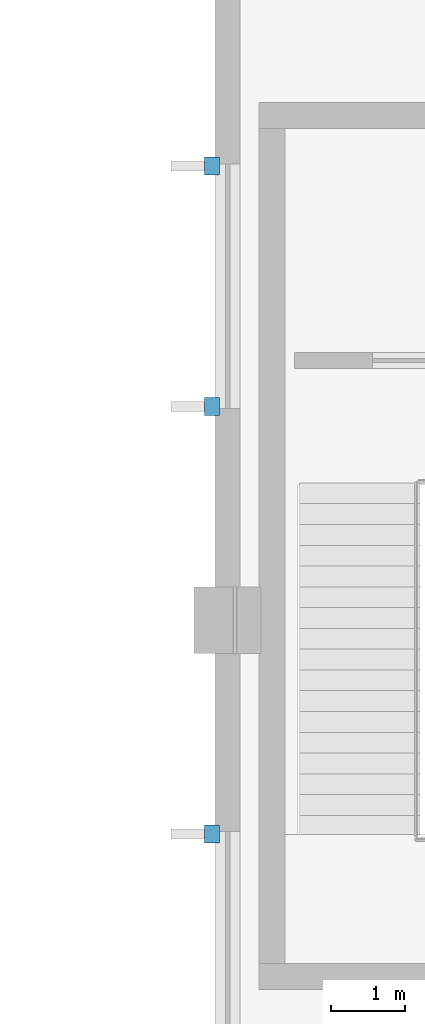
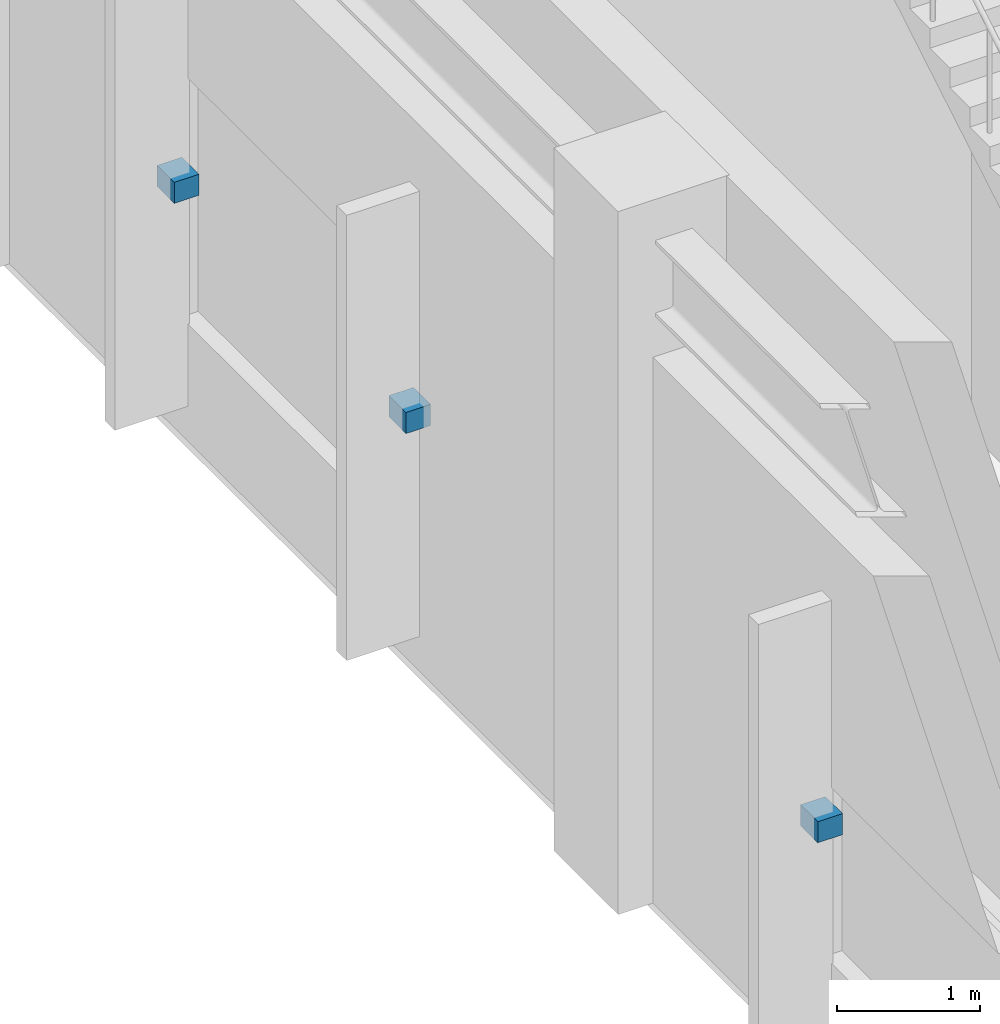
# One storey, part 198 of 223: 3 discrete accessories.
"""IFC4 building model written with IfcOpenShell, lengths in metres."""

import ifcopenshell
import ifcopenshell.guid

model = None  # the IFC model being written
_history = None  # IfcOwnerHistory: only IFC2X3 demands one
_inside = {}  # id of a spatial element -> (the spatial element, [elements in it])
_under = {}  # id of a project, library or spatial element -> (it, [spatial elements below it])
_declared = {}  # id of a project -> (the project, [libraries it declares])
_typed = {}  # id of a type object -> (the type object, [elements of that type])
_made_of = {}  # id of a material, layer set ... -> (it, [elements and type objects made of it])


def new_model(schema):
    """Start an empty IFC model of exactly this schema.

    Asked for "IFC4X3", IfcOpenShell would pick the latest addendum, in which some entities
    have other attributes; the version numbers below select the first issue.
    IFC2X3 requires an IfcOwnerHistory on every rooted entity: one is made here for all.
    """
    global model, _history
    if schema == "IFC4X3":
        model = ifcopenshell.file(schema_version=(4, 3, 0, 0))
    else:
        model = ifcopenshell.file(schema=schema)
    _inside.clear()
    _under.clear()
    _declared.clear()
    _typed.clear()
    _made_of.clear()
    _history = None
    if model.schema == "IFC2X3":
        org = make("IfcOrganization", Name="unknown")
        user = make(
            "IfcPersonAndOrganization",
            ThePerson=make("IfcPerson", FamilyName="unknown"),
            TheOrganization=org,
        )
        app = make(
            "IfcApplication",
            ApplicationDeveloper=org,
            Version="unknown",
            ApplicationFullName="unknown",
            ApplicationIdentifier="unknown",
        )
        _history = make(
            "IfcOwnerHistory",
            OwningUser=user,
            OwningApplication=app,
            ChangeAction="ADDED",
            CreationDate=0,
        )
    return model


def make(cls, **values):
    """One entity of the class cls with the attributes given. An attribute that is None is left unset."""
    return model.create_entity(
        cls, **{name: value for name, value in values.items() if value is not None}
    )


def rooted(cls, **values):
    """An entity with a GlobalId (a new one), such as an element, a storey or a relation."""
    return make(cls, GlobalId=ifcopenshell.guid.new(), OwnerHistory=_history, **values)


def si_unit(unit_type, name, prefix=None):
    """IfcSIUnit, for example si_unit("LENGTHUNIT", "METRE", prefix="MILLI")."""
    return make("IfcSIUnit", UnitType=unit_type, Prefix=prefix, Name=name)


def assignment(units):
    """IfcUnitAssignment: the units of a project."""
    return None if units is None else make("IfcUnitAssignment", Units=units)


def point(xyz):
    """IfcCartesianPoint."""
    return None if xyz is None else make("IfcCartesianPoint", Coordinates=xyz)


def direction(xyz):
    """IfcDirection."""
    return None if xyz is None else make("IfcDirection", DirectionRatios=xyz)


def frame(location, z_axis=None, x_axis=None):
    """IfcAxis2Placement3D, a coordinate frame: its origin and axes. An axis left out is left unset."""
    return make(
        "IfcAxis2Placement3D",
        Location=point(location),
        Axis=direction(z_axis),
        RefDirection=direction(x_axis),
    )


def frame_2d(location, x_axis=None):
    """IfcAxis2Placement2D, a coordinate frame in the plane: its origin and x axis."""
    return make(
        "IfcAxis2Placement2D", Location=point(location), RefDirection=direction(x_axis)
    )


def origin():
    """The frame at (0, 0, 0) with its axes left unset."""
    return frame((0.0, 0.0, 0.0))


def origin_2d():
    """The frame at (0, 0) in the plane with its x axis left unset."""
    return frame_2d((0.0, 0.0))


def place(relative_to, where):
    """IfcLocalPlacement: puts the frame where relative to a parent placement (None: the world)."""
    return make(
        "IfcLocalPlacement", PlacementRelTo=relative_to, RelativePlacement=where
    )


def context(
    kind, dimensions, precision=None, world=None, true_north=None, identifier=None
):
    """IfcGeometricRepresentationContext, for example the 3D "Model" context."""
    return make(
        "IfcGeometricRepresentationContext",
        ContextIdentifier=identifier,
        ContextType=kind,
        CoordinateSpaceDimension=dimensions,
        Precision=precision,
        WorldCoordinateSystem=world,
        TrueNorth=true_north,
    )


def subcontext(parent, identifier, kind, view, scale=None):
    """IfcGeometricRepresentationSubContext, for example "Body" below "Model"."""
    return make(
        "IfcGeometricRepresentationSubContext",
        ContextIdentifier=identifier,
        ContextType=kind,
        ParentContext=parent,
        TargetScale=scale,
        TargetView=view,
    )


def project(units=None, contexts=None):
    """IfcProject with its units and contexts."""
    return rooted(
        "IfcProject",
        Name="project",
        RepresentationContexts=contexts,
        UnitsInContext=assignment(units),
    )


def spatial(cls, under=None, at=None, **own):
    """A site, building, storey or space (cls), placed at a placement, below another one or the project."""
    s = rooted(cls, ObjectPlacement=at, **own)
    if under is not None:
        _under.setdefault(under.id(), (under, []))[1].append(s)
    return s


def profile(cls, at=None, kind="AREA", **sizes):
    """A parametric profile (cls). Its sizes go by their IFC names, for example OverallWidth=200.0."""
    return make(cls, ProfileType=kind, Position=at, **sizes)


def rectangle(**sizes):
    """IfcRectangleProfileDef."""
    return profile("IfcRectangleProfileDef", **sizes)


def extrude(swept, where, along, depth):
    """IfcExtrudedAreaSolid: the profile swept, set in the frame where, extruded along a direction by depth."""
    return make(
        "IfcExtrudedAreaSolid",
        SweptArea=swept,
        Position=where,
        ExtrudedDirection=direction(along),
        Depth=depth,
    )


def shape(context_of_items, identifier, shape_type, items):
    """IfcShapeRepresentation: the items that make up one representation, for example the "Body"."""
    return make(
        "IfcShapeRepresentation",
        ContextOfItems=context_of_items,
        RepresentationIdentifier=identifier,
        RepresentationType=shape_type,
        Items=items,
    )


def material(Name=None, Category=None):
    """IfcMaterial."""
    return make("IfcMaterial", Name=Name, Category=Category)


def layer(
    of_material, thickness, ventilated=None, Name=None, Category=None, Priority=None
):
    """IfcMaterialLayer: one layer of a wall or slab, of a material (None: an air gap)."""
    return make(
        "IfcMaterialLayer",
        Material=of_material,
        LayerThickness=thickness,
        IsVentilated=ventilated,
        Name=Name,
        Category=Category,
        Priority=Priority,
    )


def layer_set(layers, Name=None):
    """IfcMaterialLayerSet."""
    return make("IfcMaterialLayerSet", MaterialLayers=layers, LayerSetName=Name)


def made_of(thing, what):
    """Note that an element or type object is made of a material, layer set ...; save() writes the relation."""
    if what is not None:
        _made_of.setdefault(what.id(), (what, []))[1].append(thing)
    return thing


def type_object(cls, material=None, **own):
    """A type object (cls), such as IfcWallType, which elements share."""
    return made_of(rooted(cls, **own), material)


def element(
    cls,
    number,
    at=None,
    inside=None,
    cuts=None,
    type_object=None,
    material=None,
    context=None,
    identifier="Body",
    shape_type=None,
    held_by="IfcProductDefinitionShape",
    body=None,
    shapes=None,
    **own,
):
    """One element of the class cls, such as IfcWall. Its Tag is "e" and its number.

    at: its placement. inside: the storey or other place that contains it. cuts: it is an
    opening in that element (IfcRelVoidsElement). A single representation is given by context,
    identifier, shape_type and body (its items); several are given by shapes. held_by: the class
    of the entity that holds the representations. save() writes the other relations.
    """
    e = rooted(cls, Tag="e%d" % number, ObjectPlacement=at, **own)
    if body is not None:
        shapes = [shape(context, identifier, shape_type, body)]
    if shapes is not None:
        e.Representation = make(held_by, Representations=shapes)
    if inside is not None:
        _inside.setdefault(inside.id(), (inside, []))[1].append(e)
    if cuts is not None:
        rooted(
            "IfcRelVoidsElement", RelatingBuildingElement=cuts, RelatedOpeningElement=e
        )
    if type_object is not None:
        _typed.setdefault(type_object.id(), (type_object, []))[1].append(e)
    return made_of(e, material)


def aggregate(whole, parts):
    """IfcRelAggregates: a whole, such as a stair, and the parts it consists of."""
    return rooted("IfcRelAggregates", RelatingObject=whole, RelatedObjects=parts)


def save(model, path):
    """Write the relations noted so far, then the file.

    IfcRelAggregates (storeys below a building ...), IfcRelContainedInSpatialStructure (elements
    in a storey), IfcRelDefinesByType, IfcRelAssociatesMaterial and IfcRelDeclares: one each for
    every whole, place, type object, material and project.
    """
    for whole, parts in _under.values():
        aggregate(whole, parts)
    for where, things in _inside.values():
        rooted(
            "IfcRelContainedInSpatialStructure",
            RelatedElements=things,
            RelatingStructure=where,
        )
    for kind, things in _typed.values():
        rooted("IfcRelDefinesByType", RelatedObjects=things, RelatingType=kind)
    for what, things in _made_of.values():
        rooted("IfcRelAssociatesMaterial", RelatedObjects=things, RelatingMaterial=what)
    for by, libraries in _declared.values():
        rooted("IfcRelDeclares", RelatingContext=by, RelatedDefinitions=libraries)
    model.write(path)


model = new_model("IFC4")

# Units and contexts
model_context = context("Model", 3, precision=1e-05, world=origin(), true_north=direction((0.0, 1.0)))
body_context = subcontext(model_context, "Body", "Model", "MODEL_VIEW")
ifc_project = project(units=[si_unit("LENGTHUNIT", "METRE"), si_unit("AREAUNIT", "SQUARE_METRE"), si_unit("VOLUMEUNIT", "CUBIC_METRE"), si_unit("PLANEANGLEUNIT", "RADIAN"), si_unit("MASSUNIT", "GRAM", prefix="KILO")], contexts=[model_context])

# Site, building, storey
site_placement = place(None, origin())
site = spatial("IfcSite", under=ifc_project, at=site_placement, CompositionType="ELEMENT")
building_placement = place(site_placement, origin())
building = spatial("IfcBuilding", under=site, at=building_placement, Name="Dornveld Trade and Exhibition Forum", CompositionType="ELEMENT")
storey_placement = place(building_placement, frame((0.0, 0.0, 6.0)))
storey = spatial("IfcBuildingStorey", under=building, at=storey_placement, Name="L01", CompositionType="ELEMENT", Elevation=6.0)

# Discrete accessories
ifc_material = material(Name="Steel S355J2", Category="steel")
ifc_layer = layer(ifc_material, 0.179931640625)
ifc_layer_set = layer_set([ifc_layer], Name="Steel S355J2")
discrete_accessory_type = type_object("IfcDiscreteAccessoryType", Name="ACC-BRK-STL", PredefinedType="BRACKET", material=ifc_layer_set)
for number, where, z_axis, x_axis, name in (
    (1, (17.7900390625, 114.1201171875, 2.10986328125), (0.0, 0.0, 1.0), (0.0, -1.0, 0.0), "L01 solar fin bracket 83"),
    (2, (17.7900390625, 123.1201171875, 2.10986328125), (0.0, 0.0, 1.0), (0.0, -1.0, 0.0), "L01 solar fin bracket 89"),
    (3, (17.7900390625, 119.8798828125, 2.10986328125), (0.0, 0.0, 1.0), (0.0, -1.0, 0.0), "L01 solar fin bracket 90"),
):
    element("IfcDiscreteAccessory", number, at=place(storey_placement, frame(where, z_axis=z_axis, x_axis=x_axis)), inside=storey, type_object=discrete_accessory_type, Name=name, PredefinedType="BRACKET", context=body_context, shape_type="SweptSolid", body=[
        extrude(rectangle(XDim=0.239990234375, YDim=0.199951171875, at=origin_2d()), origin(), (0.0, 0.0, 1.0), 0.179931640625),
    ])

save(model, "model.ifc")
